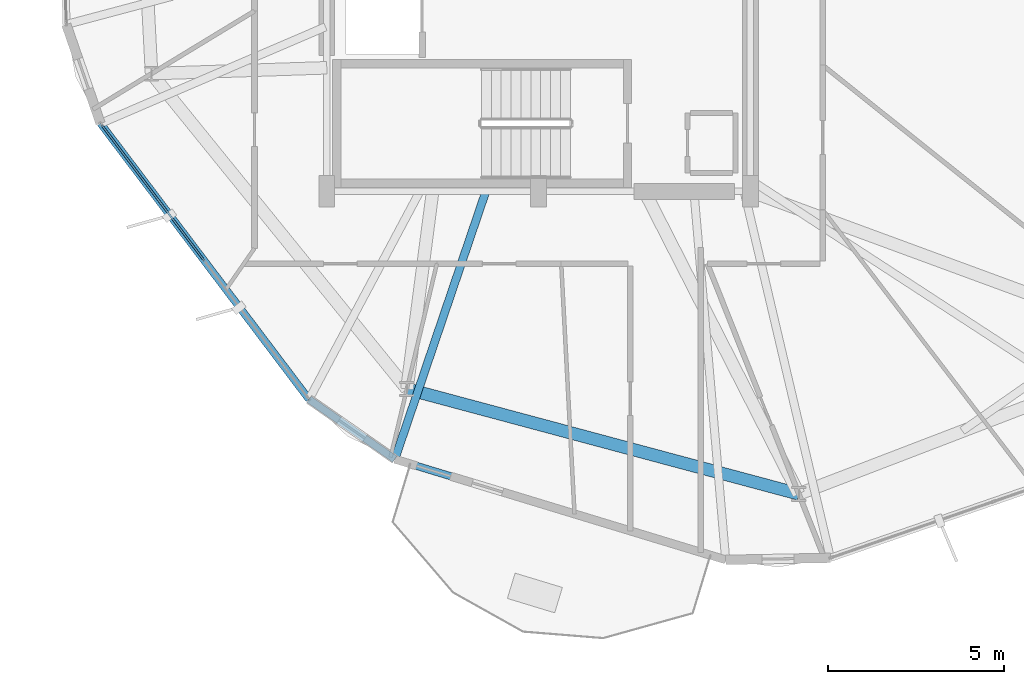
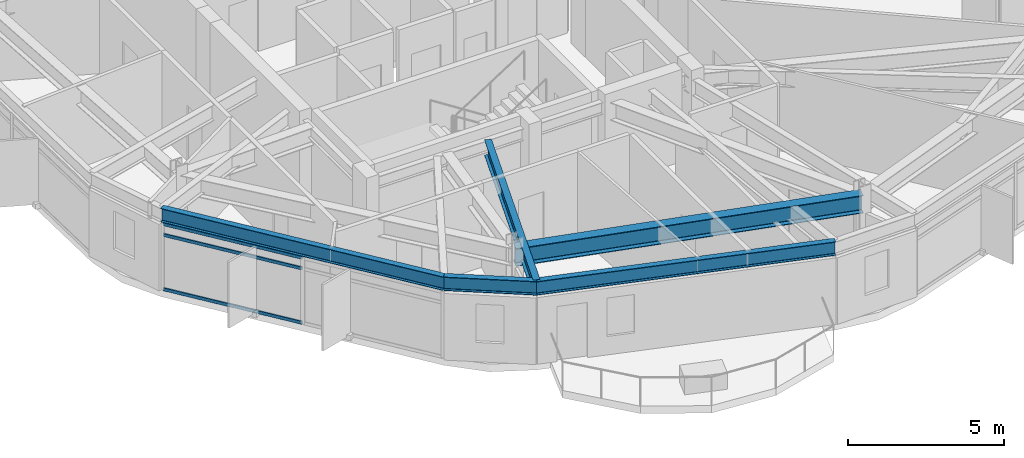
# One storey, part 3 of 34: 5 beams, 3 members, 1 element without a shape of its own.
"""IFC4 building model written with IfcOpenShell, lengths in metres."""

from ifc_helpers import new_model, si_unit, direction, frame, origin, origin_2d, place, context, subcontext, project, spatial, hollow_rectangle, i_section, extrude, material, layer, layer_set, material_profile, profile_set, type_object, element, aggregate, save


model = new_model("IFC4")

# Units and contexts
model_context = context("Model", 3, precision=1e-05, world=origin(), true_north=direction((0.0, 1.0)))
body_context = subcontext(model_context, "Body", "Model", "MODEL_VIEW")
ifc_project = project(units=[si_unit("LENGTHUNIT", "METRE"), si_unit("AREAUNIT", "SQUARE_METRE"), si_unit("VOLUMEUNIT", "CUBIC_METRE"), si_unit("PLANEANGLEUNIT", "RADIAN"), si_unit("MASSUNIT", "GRAM", prefix="KILO")], contexts=[model_context])

# Site, building, storey
site_placement = place(None, origin())
site = spatial("IfcSite", under=ifc_project, at=site_placement, CompositionType="ELEMENT")
building_placement = place(site_placement, origin())
building = spatial("IfcBuilding", under=site, at=building_placement, Name="Soratama Intermodal Tower", CompositionType="ELEMENT")
storey_placement = place(building_placement, frame((0.0, 0.0, 233.800048828125)))
storey = spatial("IfcBuildingStorey", under=building, at=storey_placement, Name="L59", CompositionType="ELEMENT", Elevation=233.800048828125)

# Beams
ifc_material_1 = material(Name="Structural steel ASTM A992 Grade 50", Category="steel")
ifc_material_profile_1 = material_profile(ifc_material_1, i_section(OverallWidth=0.35498046875, OverallDepth=0.695068359375, WebThickness=0.015380859375, FlangeThickness=0.02490234375, FilletRadius=0.01611328125, at=origin_2d()), Name="W27X146")
ifc_profile_set_1 = profile_set([ifc_material_profile_1], Name="Structural steel ASTM A992 Grade 50")
beam_type_1 = type_object("IfcBeamType", Name="BM-RING-W27X146", PredefinedType="BEAM", material=ifc_profile_set_1)
beam_1_placement = place(storey_placement, frame((34.8701171875, 9.40087890625, 2.87255859375), z_axis=(0.965928616227, -0.258808632687, 0.0), x_axis=(0.258808632687, 0.965928616227, 0.0)))
element("IfcBeam", 1, at=beam_1_placement, inside=storey, type_object=beam_type_1, Name="BM-L59-RING-07", PredefinedType="BEAM", context=body_context, shape_type="SweptSolid", body=[
    extrude(i_section(OverallWidth=0.35498046875, OverallDepth=0.695068359375, WebThickness=0.015380859375, FlangeThickness=0.02490234375, FilletRadius=0.01611328125, at=origin_2d()), origin(), (0.0, 0.0, 1.0), 11.494384765625),
])
ifc_material_2 = material(Name="Structural steel ASTM A992 Grade 50", Category="steel")
ifc_material_profile_2 = material_profile(ifc_material_2, i_section(OverallWidth=0.2099609375, OverallDepth=0.537109375, WebThickness=0.010986328125, FlangeThickness=0.017333984375, FilletRadius=0.012939453125, at=origin_2d()), Name="W21X68")
ifc_profile_set_2 = profile_set([ifc_material_profile_2], Name="Structural steel ASTM A992 Grade 50")
beam_type_2 = type_object("IfcBeamType", Name="BM-SPN-W21X68", PredefinedType="SPANDREL", material=ifc_profile_set_2)
beam_2_placement = place(storey_placement, frame((26.18896484375, 16.924072265625, 2.951416015625), z_axis=(0.602878560072, -0.797832966106, 0.0), x_axis=(0.797832966106, 0.602878560072, 0.0)))
element("IfcBeam", 2, at=beam_2_placement, inside=storey, type_object=beam_type_2, Name="BS-L59-F05", PredefinedType="SPANDREL", context=body_context, shape_type="SweptSolid", body=[
    extrude(i_section(OverallWidth=0.2099609375, OverallDepth=0.537109375, WebThickness=0.010986328125, FlangeThickness=0.017333984375, FilletRadius=0.012939453125, at=origin_2d()), origin(), (0.0, 0.0, 1.0), 9.7978515625),
])
beam_3_placement = place(storey_placement, frame((32.095947265625, 9.10693359375, 2.951416015625), z_axis=(0.819942776394, -0.572445493859, 0.0), x_axis=(0.572445493859, 0.819942776394, 0.0)))
element("IfcBeam", 3, at=beam_3_placement, inside=storey, type_object=beam_type_2, Name="BS-L59-CRN05", PredefinedType="SPANDREL", context=body_context, shape_type="SweptSolid", body=[
    extrude(i_section(OverallWidth=0.2099609375, OverallDepth=0.537109375, WebThickness=0.010986328125, FlangeThickness=0.017333984375, FilletRadius=0.012939453125, at=origin_2d()), origin(), (0.0, 0.0, 1.0), 2.96630859375),
])
beam_4_placement = place(storey_placement, frame((34.528076171875, 7.408935546875, 2.951416015625), z_axis=(0.956734515384, -0.290962312119, 0.0), x_axis=(0.290962312119, 0.956734515384, 0.0)))
element("IfcBeam", 4, at=beam_4_placement, inside=storey, type_object=beam_type_2, Name="BS-L59-F06", PredefinedType="SPANDREL", context=body_context, shape_type="SweptSolid", body=[
    extrude(i_section(OverallWidth=0.2099609375, OverallDepth=0.537109375, WebThickness=0.010986328125, FlangeThickness=0.017333984375, FilletRadius=0.012939453125, at=origin_2d()), origin(), (0.0, 0.0, 1.0), 9.7978515625),
])
ifc_material_3 = material(Name="Structural steel ASTM A992 Grade 50", Category="steel")
ifc_material_profile_3 = material_profile(ifc_material_3, i_section(OverallWidth=0.22900390625, OverallDepth=0.612060546875, WebThickness=0.011962890625, FlangeThickness=0.01953125, FilletRadius=0.012939453125, at=origin_2d()), Name="W24X84")
ifc_profile_set_3 = profile_set([ifc_material_profile_3], Name="Structural steel ASTM A992 Grade 50")
beam_type_3 = type_object("IfcBeamType", Name="BM-TIE-W24X84", PredefinedType="BEAM", material=ifc_profile_set_3)
beam_5_placement = place(storey_placement, frame((37.093994140625, 14.9619140625, 2.9140625), z_axis=(-0.321667335989, -0.946852747241, 0.0), x_axis=(0.946852747241, -0.321667335989, 0.0)))
element("IfcBeam", 5, at=beam_5_placement, inside=storey, type_object=beam_type_3, Name="BM-L59-TIE0-06", PredefinedType="BEAM", context=body_context, shape_type="SweptSolid", body=[
    extrude(i_section(OverallWidth=0.22900390625, OverallDepth=0.612060546875, WebThickness=0.011962890625, FlangeThickness=0.01953125, FilletRadius=0.012939453125, at=origin_2d()), origin(), (0.0, 0.0, 1.0), 7.97705078125),
])

# Curtain wall, members
ifc_material_4 = material(Name="Double-glazed aluminium curtain wall", Category="aluminium")
ifc_layer = layer(ifc_material_4, 0.159912109375)
ifc_layer_set = layer_set([ifc_layer], Name="Double-glazed aluminium curtain wall")
curtain_wall_type = type_object("IfcCurtainWallType", Name="CW-SYS-5", PredefinedType="NOTDEFINED", material=ifc_layer_set)
curtain_wall_placement = place(storey_placement, origin())
curtain_wall = element("IfcCurtainWall", 6, at=curtain_wall_placement, inside=storey, type_object=curtain_wall_type, Name="L59 Faceted Curtain Wall F05", PredefinedType="NOTDEFINED")
ifc_material_5 = material(Name="Anodised aluminium AA 6063-T6", Category="aluminium")
ifc_material_profile_4 = material_profile(ifc_material_5, hollow_rectangle(XDim=0.06005859375, YDim=0.1298828125, WallThickness=0.0048828125, InnerFilletRadius=0.0048828125, OuterFilletRadius=0.010009765625, at=origin_2d()), Name="CWT130X60X5")
ifc_profile_set_4 = profile_set([ifc_material_profile_4], Name="Anodised aluminium AA 6063-T6")
member_type = type_object("IfcMemberType", Name="TT-CWT-2", PredefinedType="USERDEFINED", material=ifc_profile_set_4)
member_1_placement = place(storey_placement, frame((26.224609375, 16.8759765625, 0.030029296875), z_axis=(0.602936506073, -0.797789176189, 0.0), x_axis=(0.797789176189, 0.602936506073, 0.0)))
member_1 = element("IfcMember", 7, at=member_1_placement, type_object=member_type, Name="CW-5 transom 1.1", ObjectType="TRANSOM", PredefinedType="USERDEFINED", context=body_context, shape_type="SweptSolid", body=[
    extrude(hollow_rectangle(XDim=0.06005859375, YDim=0.1298828125, WallThickness=0.0048828125, InnerFilletRadius=0.0048828125, OuterFilletRadius=0.010009765625, at=origin_2d()), origin(), (0.0, 0.0, 1.0), 4.808837890625),
])
member_2_placement = place(storey_placement, frame((26.224609375, 16.8759765625, 2.14990234375), z_axis=(0.602936506073, -0.797789176189, 0.0), x_axis=(0.797789176189, 0.602936506073, 0.0)))
member_2 = element("IfcMember", 8, at=member_2_placement, type_object=member_type, Name="CW-5 transom 1.2", ObjectType="TRANSOM", PredefinedType="USERDEFINED", context=body_context, shape_type="SweptSolid", body=[
    extrude(hollow_rectangle(XDim=0.06005859375, YDim=0.1298828125, WallThickness=0.0048828125, InnerFilletRadius=0.0048828125, OuterFilletRadius=0.010009765625, at=origin_2d()), origin(), (0.0, 0.0, 1.0), 4.808837890625),
])
member_3_placement = place(storey_placement, frame((26.224609375, 16.8759765625, 2.56884765625), z_axis=(0.602936506073, -0.797789176189, 0.0), x_axis=(0.797789176189, 0.602936506073, 0.0)))
member_3 = element("IfcMember", 9, at=member_3_placement, type_object=member_type, Name="CW-5 transom 1.3", ObjectType="TRANSOM", PredefinedType="USERDEFINED", context=body_context, shape_type="SweptSolid", body=[
    extrude(hollow_rectangle(XDim=0.06005859375, YDim=0.1298828125, WallThickness=0.0048828125, InnerFilletRadius=0.0048828125, OuterFilletRadius=0.010009765625, at=origin_2d()), origin(), (0.0, 0.0, 1.0), 4.808837890625),
])
aggregate(curtain_wall, [member_1, member_2, member_3])

save(model, "model.ifc")
